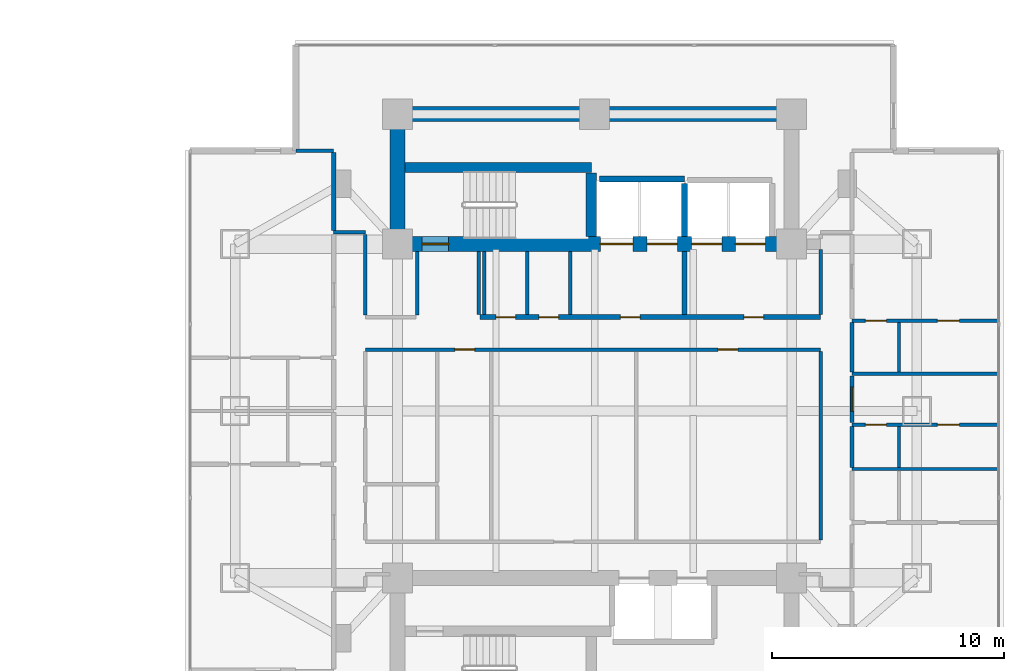
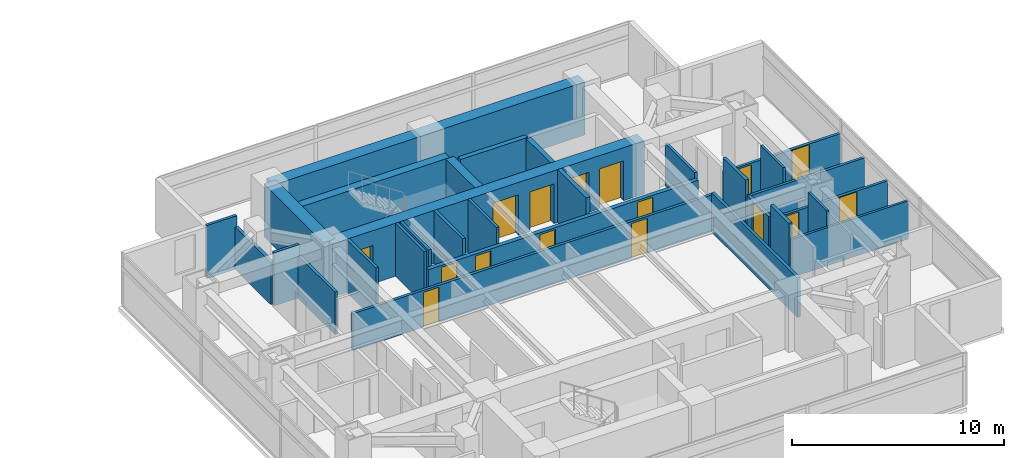
# One storey, part 19 of 27: 30 walls, 16 doors, 16 openings.
"""IFC4 building model written with IfcOpenShell, lengths in metres."""

from ifc_helpers import new_model, si_unit, direction, frame, frame_2d, origin, place, context, subcontext, project, spatial, rectangle, extrude, material, layer, layer_set, type_object, element, fill, save


model = new_model("IFC4")

# Units and contexts
model_context = context("Model", 3, precision=1e-05, world=origin(), true_north=direction((0.0, 1.0)))
body_context = subcontext(model_context, "Body", "Model", "MODEL_VIEW")
ifc_project = project(units=[si_unit("LENGTHUNIT", "METRE"), si_unit("AREAUNIT", "SQUARE_METRE"), si_unit("VOLUMEUNIT", "CUBIC_METRE"), si_unit("PLANEANGLEUNIT", "RADIAN"), si_unit("MASSUNIT", "GRAM", prefix="KILO")], contexts=[model_context])

# Site, building, storey
site_placement = place(None, origin())
site = spatial("IfcSite", under=ifc_project, at=site_placement, CompositionType="ELEMENT")
building_placement = place(site_placement, origin())
building = spatial("IfcBuilding", under=site, at=building_placement, Name="Mirazonda Arch Towers", CompositionType="ELEMENT")
storey_placement = place(building_placement, frame((0.0, 0.0, 52.10009765625)))
storey = spatial("IfcBuildingStorey", under=building, at=storey_placement, Name="L14", CompositionType="ELEMENT", Elevation=52.10009765625)

# Walls
ifc_material_1 = material(Name="Concrete C50/60", Category="concrete")
ifc_layer_1 = layer(ifc_material_1, 0.449951171875, Name="WALL-CORE-450")
ifc_layer_set_1 = layer_set([ifc_layer_1], Name="Concrete C50/60")
wall_type_1 = type_object("IfcWallType", Name="WALL-CORE-450", PredefinedType="SHEAR", material=ifc_layer_set_1)
wall_1_placement = place(storey_placement, frame((68.320068359375, 38.5, 0.0), z_axis=(0.0, 0.0, 1.0), x_axis=(1.0, 0.0, 0.0)))
element("IfcWall", 1, at=wall_1_placement, inside=storey, type_object=wall_type_1, Name="L14 Stair Core Shear Wall 054", PredefinedType="SHEAR", context=body_context, shape_type="SweptSolid", body=[
    extrude(rectangle(XDim=8.0400390625, YDim=0.449951171875, at=frame_2d((4.02001953125, 0.0))), origin(), (0.0, 0.0, 1.0), 3.059814453125),
])
wall_2_placement = place(storey_placement, frame((76.360107421875, 35.52001953125, 0.0), z_axis=(0.0, 0.0, 1.0), x_axis=(0.0, 1.0, 0.0)))
element("IfcWall", 2, at=wall_2_placement, inside=storey, type_object=wall_type_1, Name="L14 Stair Core Shear Wall 142", PredefinedType="SHEAR", context=body_context, shape_type="SweptSolid", body=[
    extrude(rectangle(XDim=2.744873046875, YDim=0.449951171875, at=frame_2d((1.37255859375, 0.0))), origin(), (0.0, 0.0, 1.0), 3.059814453125),
])
ifc_material_2 = material(Name="Concrete C60/75", Category="concrete")
ifc_layer_2 = layer(ifc_material_2, 0.64990234375, Name="WALL-CORE-650")
ifc_layer_set_2 = layer_set([ifc_layer_2], Name="Concrete C60/75")
wall_type_2 = type_object("IfcWallType", Name="WALL-CORE-650", PredefinedType="SHEAR", material=ifc_layer_set_2)
wall_3_placement = place(storey_placement, frame((68.0, 40.800048828125, 0.0), z_axis=(0.0, 0.0, 1.0), x_axis=(1.0, 0.0, 0.0)))
element("IfcWall", 3, at=wall_3_placement, inside=storey, type_object=wall_type_2, Name="L14 T2N-N Core Shear Wall", PredefinedType="SHEAR", context=body_context, shape_type="SweptSolid", body=[
    extrude(rectangle(XDim=17.0, YDim=0.64990234375, at=frame_2d((8.5, 0.0))), origin(), (0.0, 0.0, 1.0), 3.059814453125),
])
wall_4_placement = place(storey_placement, frame((68.0, 35.199951171875, 0.0), z_axis=(0.0, 0.0, 1.0), x_axis=(0.0, 1.0, 0.0)))
element("IfcWall", 4, at=wall_4_placement, inside=storey, type_object=wall_type_2, Name="L14 T2N-W Core Shear Wall", PredefinedType="SHEAR", context=body_context, shape_type="SweptSolid", body=[
    extrude(rectangle(XDim=5.60009765625, YDim=0.64990234375, at=frame_2d((2.800048828125, 0.0))), origin(), (0.0, 0.0, 1.0), 3.059814453125),
])

# Wall, openings, doors
wall_5_placement = place(storey_placement, frame((68.0, 35.199951171875, 0.0), z_axis=(0.0, 0.0, 1.0), x_axis=(1.0, 0.0, 0.0)))
wall_5 = element("IfcWall", 5, at=wall_5_placement, inside=storey, type_object=wall_type_2, Name="L14 T2N-S Core Shear Wall", PredefinedType="SHEAR", context=body_context, shape_type="SweptSolid", body=[
    extrude(rectangle(XDim=17.0, YDim=0.64990234375, at=frame_2d((8.5, 0.0))), origin(), (0.0, 0.0, 1.0), 3.059814453125),
])
opening_1_placement = place(wall_5_placement, frame((1.06005859375, 0.0, 0.0)))
opening_1 = element("IfcOpeningElement", 6, at=opening_1_placement, cuts=wall_5, Name="Opening DR-135", PredefinedType="OPENING", context=body_context, shape_type="SweptSolid", body=[
    extrude(rectangle(XDim=1.14990234375, YDim=2.199951171875, at=frame_2d((0.574951171875, 1.10009765625))), frame((0.0, 0.3349609375, 0.0), z_axis=(0.0, -1.0, 0.0), x_axis=(1.0, 0.0, 0.0)), (0.0, 0.0, 1.0), 0.669921875),
])
opening_2_placement = place(wall_5_placement, frame((8.75, 0.0, 0.0)))
opening_2 = element("IfcOpeningElement", 7, at=opening_2_placement, cuts=wall_5, Name="Opening LD-112", PredefinedType="OPENING", context=body_context, shape_type="SweptSolid", body=[
    extrude(rectangle(XDim=1.39990234375, YDim=2.35009765625, at=frame_2d((0.699951171875, 1.175048828125))), frame((0.0, 0.3349609375, 0.0), z_axis=(0.0, -1.0, 0.0), x_axis=(1.0, 0.0, 0.0)), (0.0, 0.0, 1.0), 0.669921875),
])
opening_3_placement = place(wall_5_placement, frame((10.77001953125, 0.0, 0.0)))
opening_3 = element("IfcOpeningElement", 8, at=opening_3_placement, cuts=wall_5, Name="Opening LD-111", PredefinedType="OPENING", context=body_context, shape_type="SweptSolid", body=[
    extrude(rectangle(XDim=1.300048828125, YDim=2.300048828125, at=frame_2d((0.64990234375, 1.14990234375))), frame((0.0, 0.3349609375, 0.0), z_axis=(0.0, -1.0, 0.0), x_axis=(1.0, 0.0, 0.0)), (0.0, 0.0, 1.0), 0.669921875),
])
opening_4_placement = place(wall_5_placement, frame((12.68994140625, 0.0, 0.0)))
opening_4 = element("IfcOpeningElement", 9, at=opening_4_placement, cuts=wall_5, Name="Opening LD-111", PredefinedType="OPENING", context=body_context, shape_type="SweptSolid", body=[
    extrude(rectangle(XDim=1.300048828125, YDim=2.300048828125, at=frame_2d((0.64990234375, 1.14990234375))), frame((0.0, 0.3349609375, 0.0), z_axis=(0.0, -1.0, 0.0), x_axis=(1.0, 0.0, 0.0)), (0.0, 0.0, 1.0), 0.669921875),
])
opening_5_placement = place(wall_5_placement, frame((14.570068359375, 0.0, 0.0)))
opening_5 = element("IfcOpeningElement", 10, at=opening_5_placement, cuts=wall_5, Name="Opening LD-111", PredefinedType="OPENING", context=body_context, shape_type="SweptSolid", body=[
    extrude(rectangle(XDim=1.300048828125, YDim=2.300048828125, at=frame_2d((0.64990234375, 1.14990234375))), frame((0.0, 0.3349609375, 0.0), z_axis=(0.0, -1.0, 0.0), x_axis=(1.0, 0.0, 0.0)), (0.0, 0.0, 1.0), 0.669921875),
])
ifc_material_3 = material(Name="Architectural Brushed Steel S355", Category="steel")
door_type_1 = type_object("IfcDoorType", Name="DOOR-LIFT-FFL-1400", OperationType="NOTDEFINED", PredefinedType="DOOR", material=ifc_material_3)
door_1_placement = place(opening_2_placement, origin())
door_1 = element("IfcDoor", 11, at=door_1_placement, inside=storey, type_object=door_type_1, Name="L14 Lift Landing Sliding Door FFL-T2", OperationType="DOUBLE_DOOR_SLIDING", OverallHeight=2.35009765625, OverallWidth=1.39990234375, PredefinedType="DOOR", context=body_context, shape_type="SweptSolid", body=[
    extrude(rectangle(XDim=1.39990234375, YDim=2.35009765625, at=frame_2d((0.699951171875, 1.175048828125))), frame((0.0, 0.02490234375, 0.0), z_axis=(0.0, -1.0, 0.0), x_axis=(1.0, 0.0, 0.0)), (0.0, 0.0, 1.0), 0.050048828125),
])
fill(opening_2, door_1)
door_type_2 = type_object("IfcDoorType", Name="DOOR-LIFT-LAND-1300", OperationType="NOTDEFINED", PredefinedType="DOOR", material=ifc_material_3)
door_2_placement = place(opening_3_placement, origin())
door_2 = element("IfcDoor", 12, at=door_2_placement, inside=storey, type_object=door_type_2, Name="L14 Lift Landing Sliding Door SVL-T2", OperationType="DOUBLE_DOOR_SLIDING", OverallHeight=2.300048828125, OverallWidth=1.300048828125, PredefinedType="DOOR", context=body_context, shape_type="SweptSolid", body=[
    extrude(rectangle(XDim=1.300048828125, YDim=2.300048828125, at=frame_2d((0.64990234375, 1.14990234375))), frame((0.0, 0.02490234375, 0.0), z_axis=(0.0, -1.0, 0.0), x_axis=(1.0, 0.0, 0.0)), (0.0, 0.0, 1.0), 0.050048828125),
])
fill(opening_3, door_2)
door_3_placement = place(opening_4_placement, origin())
door_3 = element("IfcDoor", 13, at=door_3_placement, inside=storey, type_object=door_type_2, Name="L14 Lift Landing Sliding Door PL-T2L1", OperationType="DOUBLE_DOOR_SLIDING", OverallHeight=2.300048828125, OverallWidth=1.300048828125, PredefinedType="DOOR", context=body_context, shape_type="SweptSolid", body=[
    extrude(rectangle(XDim=1.300048828125, YDim=2.300048828125, at=frame_2d((0.64990234375, 1.14990234375))), frame((0.0, 0.02490234375, 0.0), z_axis=(0.0, -1.0, 0.0), x_axis=(1.0, 0.0, 0.0)), (0.0, 0.0, 1.0), 0.050048828125),
])
fill(opening_4, door_3)
door_4_placement = place(opening_5_placement, origin())
door_4 = element("IfcDoor", 14, at=door_4_placement, inside=storey, type_object=door_type_2, Name="L14 Lift Landing Sliding Door PL-T2L2", OperationType="DOUBLE_DOOR_SLIDING", OverallHeight=2.300048828125, OverallWidth=1.300048828125, PredefinedType="DOOR", context=body_context, shape_type="SweptSolid", body=[
    extrude(rectangle(XDim=1.300048828125, YDim=2.300048828125, at=frame_2d((0.64990234375, 1.14990234375))), frame((0.0, 0.02490234375, 0.0), z_axis=(0.0, -1.0, 0.0), x_axis=(1.0, 0.0, 0.0)), (0.0, 0.0, 1.0), 0.050048828125),
])
fill(opening_5, door_4)
door_type_3 = type_object("IfcDoorType", Name="DOOR-STAIR-FD90-1150", OperationType="NOTDEFINED", PredefinedType="DOOR", material=ifc_material_3)
door_5_placement = place(opening_1_placement, origin())
door_5 = element("IfcDoor", 15, at=door_5_placement, inside=storey, type_object=door_type_3, Name="L14 East Protected Stair North Door", OperationType="SINGLE_SWING_LEFT", OverallHeight=2.199951171875, OverallWidth=1.14990234375, PredefinedType="DOOR", context=body_context, shape_type="SweptSolid", body=[
    extrude(rectangle(XDim=1.14990234375, YDim=2.199951171875, at=frame_2d((0.574951171875, 1.10009765625))), frame((0.0, 0.02490234375, 0.0), z_axis=(0.0, -1.0, 0.0), x_axis=(1.0, 0.0, 0.0)), (0.0, 0.0, 1.0), 0.050048828125),
])
fill(opening_1, door_5)

ifc_material_4 = material(Name="Concrete C40/50", Category="concrete")
ifc_layer_3 = layer(ifc_material_4, 0.219970703125, Name="WALL-FFL-220")
ifc_layer_set_3 = layer_set([ifc_layer_3], Name="Concrete C40/50")
wall_type_3 = type_object("IfcWallType", Name="WALL-FFL-220", PredefinedType="SOLIDWALL", material=ifc_layer_set_3)
wall_6_placement = place(storey_placement, frame((71.550048828125, 32.050048828125, 0.0), z_axis=(0.0, 0.0, 1.0), x_axis=(1.0, 0.0, 0.0)))
wall_6 = element("IfcWall", 16, at=wall_6_placement, inside=storey, type_object=wall_type_3, Name="L14 Interior Partition 043", PredefinedType="SOLIDWALL", context=body_context, shape_type="SweptSolid", body=[
    extrude(rectangle(XDim=14.699951171875, YDim=0.219970703125, at=frame_2d((7.35009765625, 0.0))), origin(), (0.0, 0.0, 1.0), 2.125),
])
opening_6_placement = place(wall_6_placement, frame((11.389892578125, 0.0, 0.0)))
opening_6 = element("IfcOpeningElement", 17, at=opening_6_placement, cuts=wall_6, Name="Opening DR-128", PredefinedType="OPENING", context=body_context, shape_type="SweptSolid", body=[
    extrude(rectangle(XDim=0.85009765625, YDim=2.010009765625, at=frame_2d((0.425048828125, 1.0048828125))), frame((0.0, 0.119873046875, 0.0), z_axis=(0.0, -1.0, 0.0), x_axis=(1.0, 0.0, 0.0)), (0.0, 0.0, 1.0), 0.239990234375),
])
opening_7_placement = place(wall_6_placement, frame((6.06494140625, 0.0, 0.0)))
opening_7 = element("IfcOpeningElement", 18, at=opening_7_placement, cuts=wall_6, Name="Opening DR-128", PredefinedType="OPENING", context=body_context, shape_type="SweptSolid", body=[
    extrude(rectangle(XDim=0.85009765625, YDim=2.010009765625, at=frame_2d((0.425048828125, 1.0048828125))), frame((0.0, 0.119873046875, 0.0), z_axis=(0.0, -1.0, 0.0), x_axis=(1.0, 0.0, 0.0)), (0.0, 0.0, 1.0), 0.239990234375),
])
opening_8_placement = place(wall_6_placement, frame((0.699951171875, 0.0, 0.0)))
opening_8 = element("IfcOpeningElement", 19, at=opening_8_placement, cuts=wall_6, Name="Opening DR-128", PredefinedType="OPENING", context=body_context, shape_type="SweptSolid", body=[
    extrude(rectangle(XDim=0.85009765625, YDim=2.010009765625, at=frame_2d((0.425048828125, 1.0048828125))), frame((0.0, 0.119873046875, 0.0), z_axis=(0.0, -1.0, 0.0), x_axis=(1.0, 0.0, 0.0)), (0.0, 0.0, 1.0), 0.239990234375),
])
opening_9_placement = place(wall_6_placement, frame((2.550048828125, 0.0, 0.0)))
opening_9 = element("IfcOpeningElement", 20, at=opening_9_placement, cuts=wall_6, Name="Opening DR-128", PredefinedType="OPENING", context=body_context, shape_type="SweptSolid", body=[
    extrude(rectangle(XDim=0.85009765625, YDim=2.010009765625, at=frame_2d((0.425048828125, 1.0048828125))), frame((0.0, 0.119873046875, 0.0), z_axis=(0.0, -1.0, 0.0), x_axis=(1.0, 0.0, 0.0)), (0.0, 0.0, 1.0), 0.239990234375),
])
door_type_4 = type_object("IfcDoorType", Name="DOOR-RISER-FD60-850", OperationType="NOTDEFINED", PredefinedType="DOOR", material=ifc_material_3)
door_6_placement = place(opening_6_placement, origin())
door_6 = element("IfcDoor", 21, at=door_6_placement, inside=storey, type_object=door_type_4, Name="L14 East Passenger Lift Lobby Door", OperationType="SINGLE_SWING_RIGHT", OverallHeight=2.010009765625, OverallWidth=0.85009765625, PredefinedType="DOOR", context=body_context, shape_type="SweptSolid", body=[
    extrude(rectangle(XDim=0.85009765625, YDim=2.010009765625, at=frame_2d((0.425048828125, 1.0048828125))), frame((0.0, 0.02490234375, 0.0), z_axis=(0.0, -1.0, 0.0), x_axis=(1.0, 0.0, 0.0)), (0.0, 0.0, 1.0), 0.050048828125),
])
fill(opening_6, door_6)
door_7_placement = place(opening_7_placement, origin())
door_7 = element("IfcDoor", 22, at=door_7_placement, inside=storey, type_object=door_type_4, Name="L14 East Firefighting Lift Lobby Door", OperationType="SINGLE_SWING_RIGHT", OverallHeight=2.010009765625, OverallWidth=0.85009765625, PredefinedType="DOOR", context=body_context, shape_type="SweptSolid", body=[
    extrude(rectangle(XDim=0.85009765625, YDim=2.010009765625, at=frame_2d((0.425048828125, 1.0048828125))), frame((0.0, 0.02490234375, 0.0), z_axis=(0.0, -1.0, 0.0), x_axis=(1.0, 0.0, 0.0)), (0.0, 0.0, 1.0), 0.050048828125),
])
fill(opening_7, door_7)
door_8_placement = place(opening_8_placement, origin())
door_8 = element("IfcDoor", 23, at=door_8_placement, inside=storey, type_object=door_type_4, Name="L14 Tower 2 Electrical Room Door", OperationType="SINGLE_SWING_LEFT", OverallHeight=2.010009765625, OverallWidth=0.85009765625, PredefinedType="DOOR", context=body_context, shape_type="SweptSolid", body=[
    extrude(rectangle(XDim=0.85009765625, YDim=2.010009765625, at=frame_2d((0.425048828125, 1.0048828125))), frame((0.0, 0.02490234375, 0.0), z_axis=(0.0, -1.0, 0.0), x_axis=(1.0, 0.0, 0.0)), (0.0, 0.0, 1.0), 0.050048828125),
])
fill(opening_8, door_8)
door_9_placement = place(opening_9_placement, origin())
door_9 = element("IfcDoor", 24, at=door_9_placement, inside=storey, type_object=door_type_4, Name="L14 Tower 2 Cleaners Store Door", OperationType="SINGLE_SWING_RIGHT", OverallHeight=2.010009765625, OverallWidth=0.85009765625, PredefinedType="DOOR", context=body_context, shape_type="SweptSolid", body=[
    extrude(rectangle(XDim=0.85009765625, YDim=2.010009765625, at=frame_2d((0.425048828125, 1.0048828125))), frame((0.0, 0.02490234375, 0.0), z_axis=(0.0, -1.0, 0.0), x_axis=(1.0, 0.0, 0.0)), (0.0, 0.0, 1.0), 0.050048828125),
])
fill(opening_9, door_9)

# Wall
wall_7_placement = place(storey_placement, frame((80.3798828125, 32.169921875, 0.0), z_axis=(0.0, 0.0, 1.0), x_axis=(0.0, 1.0, 0.0)))
element("IfcWall", 25, at=wall_7_placement, inside=storey, type_object=wall_type_3, Name="L14 Interior Partition 145", PredefinedType="SOLIDWALL", context=body_context, shape_type="SweptSolid", body=[
    extrude(rectangle(XDim=2.7099609375, YDim=0.219970703125, at=frame_2d((1.35498046875, 0.0))), origin(), (0.0, 0.0, 1.0), 3.059814453125),
])

# Wall, openings, doors
ifc_material_5 = material(Name="Fire-Rated Gypsum Stud Partition")
ifc_layer_4 = layer(ifc_material_5, 0.14990234375, Name="WALL-PART-CORR-150")
ifc_layer_set_4 = layer_set([ifc_layer_4], Name="Fire-Rated Gypsum Stud Partition")
wall_type_4 = type_object("IfcWallType", Name="WALL-PART-CORR-150", PredefinedType="PARTITIONING", material=ifc_layer_set_4)
wall_8_placement = place(storey_placement, frame((87.60009765625, 27.412109375, 0.0), z_axis=(0.0, 0.0, 1.0), x_axis=(1.0, 0.0, 0.0)))
wall_8 = element("IfcWall", 26, at=wall_8_placement, inside=storey, type_object=wall_type_4, Name="L14 Interior Partition 032", PredefinedType="PARTITIONING", context=body_context, shape_type="SweptSolid", body=[
    extrude(rectangle(XDim=6.33984375, YDim=0.14990234375, at=frame_2d((3.169921875, 0.0))), origin(), (0.0, 0.0, 1.0), 2.19580078125),
])
opening_10_placement = place(wall_8_placement, frame((3.689453125, 0.0, 0.0)))
opening_10 = element("IfcOpeningElement", 27, at=opening_10_placement, cuts=wall_8, Name="Opening DR-104", PredefinedType="OPENING", context=body_context, shape_type="SweptSolid", body=[
    extrude(rectangle(XDim=0.949951171875, YDim=2.14990234375, at=frame_2d((0.47509765625, 1.074951171875))), frame((0.0, 0.0849609375, 0.0), z_axis=(0.0, -1.0, 0.0), x_axis=(1.0, 0.0, 0.0)), (0.0, 0.0, 1.0), 0.169921875),
])
opening_11_placement = place(wall_8_placement, frame((0.58447265625, 0.0, 0.0)))
opening_11 = element("IfcOpeningElement", 28, at=opening_11_placement, cuts=wall_8, Name="Opening DR-120", PredefinedType="OPENING", context=body_context, shape_type="SweptSolid", body=[
    extrude(rectangle(XDim=0.89990234375, YDim=2.10009765625, at=frame_2d((0.449951171875, 1.050048828125))), frame((0.0, 0.0849609375, 0.0), z_axis=(0.0, -1.0, 0.0), x_axis=(1.0, 0.0, 0.0)), (0.0, 0.0, 1.0), 0.169921875),
])
door_type_5 = type_object("IfcDoorType", Name="DOOR-ROOM-950", OperationType="NOTDEFINED", PredefinedType="DOOR", material=ifc_material_3)
door_10_placement = place(opening_10_placement, origin())
door_10 = element("IfcDoor", 29, at=door_10_placement, inside=storey, type_object=door_type_5, Name="L14 Studio 2 Galley Kitchen Door", OperationType="SINGLE_SWING_LEFT", OverallHeight=2.14990234375, OverallWidth=0.949951171875, PredefinedType="DOOR", context=body_context, shape_type="SweptSolid", body=[
    extrude(rectangle(XDim=0.949951171875, YDim=2.14990234375, at=frame_2d((0.47509765625, 1.074951171875))), frame((0.0, 0.02490234375, 0.0), z_axis=(0.0, -1.0, 0.0), x_axis=(1.0, 0.0, 0.0)), (0.0, 0.0, 1.0), 0.050048828125),
])
fill(opening_10, door_10)
door_type_6 = type_object("IfcDoorType", Name="DOOR-WC-900", OperationType="NOTDEFINED", PredefinedType="DOOR", material=ifc_material_3)
door_11_placement = place(opening_11_placement, origin())
door_11 = element("IfcDoor", 30, at=door_11_placement, inside=storey, type_object=door_type_6, Name="L14 Studio 2 Bathroom Door", OperationType="SINGLE_SWING_RIGHT", OverallHeight=2.10009765625, OverallWidth=0.89990234375, PredefinedType="DOOR", context=body_context, shape_type="SweptSolid", body=[
    extrude(rectangle(XDim=0.89990234375, YDim=2.10009765625, at=frame_2d((0.449951171875, 1.050048828125))), frame((0.0, 0.02490234375, 0.0), z_axis=(0.0, -1.0, 0.0), x_axis=(1.0, 0.0, 0.0)), (0.0, 0.0, 1.0), 0.050048828125),
])
fill(opening_11, door_11)

# Wall
wall_9_placement = place(storey_placement, frame((87.60009765625, 29.595947265625, 0.0), z_axis=(0.0, 0.0, 1.0), x_axis=(1.0, 0.0, 0.0)))
element("IfcWall", 31, at=wall_9_placement, inside=storey, type_object=wall_type_4, Name="L14 Interior Partition 036", PredefinedType="PARTITIONING", context=body_context, shape_type="SweptSolid", body=[
    extrude(rectangle(XDim=6.33984375, YDim=0.14990234375, at=frame_2d((3.169921875, 0.0))), origin(), (0.0, 0.0, 1.0), 2.19580078125),
])

# Wall, openings, doors
wall_10_placement = place(storey_placement, frame((66.6201171875, 30.64990234375, 0.0), z_axis=(0.0, 0.0, 1.0), x_axis=(1.0, 0.0, 0.0)))
wall_10 = element("IfcWall", 32, at=wall_10_placement, inside=storey, type_object=wall_type_4, Name="L14 Interior Partition 038", PredefinedType="PARTITIONING", context=body_context, shape_type="SweptSolid", body=[
    extrude(rectangle(XDim=19.6298828125, YDim=0.14990234375, at=frame_2d((9.81494140625, 0.0))), origin(), (0.0, 0.0, 1.0), 2.125),
])
opening_12_placement = place(wall_10_placement, frame((3.85498046875, 0.0, 0.0)))
opening_12 = element("IfcOpeningElement", 33, at=opening_12_placement, cuts=wall_10, Name="Opening DR-128", PredefinedType="OPENING", context=body_context, shape_type="SweptSolid", body=[
    extrude(rectangle(XDim=0.85009765625, YDim=2.010009765625, at=frame_2d((0.425048828125, 1.0048828125))), frame((0.0, 0.0849609375, 0.0), z_axis=(0.0, -1.0, 0.0), x_axis=(1.0, 0.0, 0.0)), (0.0, 0.0, 1.0), 0.169921875),
])
opening_13_placement = place(wall_10_placement, frame((15.208984375, 0.0, 0.0)))
opening_13 = element("IfcOpeningElement", 34, at=opening_13_placement, cuts=wall_10, Name="Opening DR-128", PredefinedType="OPENING", context=body_context, shape_type="SweptSolid", body=[
    extrude(rectangle(XDim=0.85009765625, YDim=2.010009765625, at=frame_2d((0.425048828125, 1.0048828125))), frame((0.0, 0.0849609375, 0.0), z_axis=(0.0, -1.0, 0.0), x_axis=(1.0, 0.0, 0.0)), (0.0, 0.0, 1.0), 0.169921875),
])
door_12_placement = place(opening_12_placement, origin())
door_12 = element("IfcDoor", 35, at=door_12_placement, inside=storey, type_object=door_type_4, Name="L14 L14 East Courtyard Study Door", OperationType="SINGLE_SWING_LEFT", OverallHeight=2.010009765625, OverallWidth=0.85009765625, PredefinedType="DOOR", context=body_context, shape_type="SweptSolid", body=[
    extrude(rectangle(XDim=0.85009765625, YDim=2.010009765625, at=frame_2d((0.425048828125, 1.0048828125))), frame((0.0, 0.02490234375, 0.0), z_axis=(0.0, -1.0, 0.0), x_axis=(1.0, 0.0, 0.0)), (0.0, 0.0, 1.0), 0.050048828125),
])
fill(opening_12, door_12)
door_13_placement = place(opening_13_placement, origin())
door_13 = element("IfcDoor", 36, at=door_13_placement, inside=storey, type_object=door_type_4, Name="L14 Chamber Music & Screening Salon Door", OperationType="SINGLE_SWING_LEFT", OverallHeight=2.010009765625, OverallWidth=0.85009765625, PredefinedType="DOOR", context=body_context, shape_type="SweptSolid", body=[
    extrude(rectangle(XDim=0.85009765625, YDim=2.010009765625, at=frame_2d((0.425048828125, 1.0048828125))), frame((0.0, 0.02490234375, 0.0), z_axis=(0.0, -1.0, 0.0), x_axis=(1.0, 0.0, 0.0)), (0.0, 0.0, 1.0), 0.050048828125),
])
fill(opening_13, door_13)

wall_11_placement = place(storey_placement, frame((87.60009765625, 31.89599609375, 0.0), z_axis=(0.0, 0.0, 1.0), x_axis=(1.0, 0.0, 0.0)))
wall_11 = element("IfcWall", 37, at=wall_11_placement, inside=storey, type_object=wall_type_4, Name="L14 Interior Partition 041", PredefinedType="PARTITIONING", context=body_context, shape_type="SweptSolid", body=[
    extrude(rectangle(XDim=6.33984375, YDim=0.14990234375, at=frame_2d((3.169921875, 0.0))), origin(), (0.0, 0.0, 1.0), 2.19580078125),
])
opening_14_placement = place(wall_11_placement, frame((3.689453125, 0.0, 0.0)))
opening_14 = element("IfcOpeningElement", 38, at=opening_14_placement, cuts=wall_11, Name="Opening DR-104", PredefinedType="OPENING", context=body_context, shape_type="SweptSolid", body=[
    extrude(rectangle(XDim=0.949951171875, YDim=2.14990234375, at=frame_2d((0.47509765625, 1.074951171875))), frame((0.0, 0.0849609375, 0.0), z_axis=(0.0, -1.0, 0.0), x_axis=(1.0, 0.0, 0.0)), (0.0, 0.0, 1.0), 0.169921875),
])
opening_15_placement = place(wall_11_placement, frame((0.58447265625, 0.0, 0.0)))
opening_15 = element("IfcOpeningElement", 39, at=opening_15_placement, cuts=wall_11, Name="Opening DR-120", PredefinedType="OPENING", context=body_context, shape_type="SweptSolid", body=[
    extrude(rectangle(XDim=0.89990234375, YDim=2.10009765625, at=frame_2d((0.449951171875, 1.050048828125))), frame((0.0, 0.0849609375, 0.0), z_axis=(0.0, -1.0, 0.0), x_axis=(1.0, 0.0, 0.0)), (0.0, 0.0, 1.0), 0.169921875),
])
door_14_placement = place(opening_14_placement, origin())
door_14 = element("IfcDoor", 40, at=door_14_placement, inside=storey, type_object=door_type_5, Name="L14 Studio 3 Galley Kitchen Door", OperationType="SINGLE_SWING_RIGHT", OverallHeight=2.14990234375, OverallWidth=0.949951171875, PredefinedType="DOOR", context=body_context, shape_type="SweptSolid", body=[
    extrude(rectangle(XDim=0.949951171875, YDim=2.14990234375, at=frame_2d((0.47509765625, 1.074951171875))), frame((0.0, 0.02490234375, 0.0), z_axis=(0.0, -1.0, 0.0), x_axis=(1.0, 0.0, 0.0)), (0.0, 0.0, 1.0), 0.050048828125),
])
fill(opening_14, door_14)
door_15_placement = place(opening_15_placement, origin())
door_15 = element("IfcDoor", 41, at=door_15_placement, inside=storey, type_object=door_type_6, Name="L14 Studio 3 Bathroom Door", OperationType="SINGLE_SWING_LEFT", OverallHeight=2.10009765625, OverallWidth=0.89990234375, PredefinedType="DOOR", context=body_context, shape_type="SweptSolid", body=[
    extrude(rectangle(XDim=0.89990234375, YDim=2.10009765625, at=frame_2d((0.449951171875, 1.050048828125))), frame((0.0, 0.02490234375, 0.0), z_axis=(0.0, -1.0, 0.0), x_axis=(1.0, 0.0, 0.0)), (0.0, 0.0, 1.0), 0.050048828125),
])
fill(opening_15, door_15)

# Walls
wall_12_placement = place(storey_placement, frame((65.25, 35.699951171875, 0.0), z_axis=(0.0, 0.0, 1.0), x_axis=(1.0, 0.0, 0.0)))
element("IfcWall", 42, at=wall_12_placement, inside=storey, type_object=wall_type_4, Name="L14 Interior Partition 049", PredefinedType="PARTITIONING", context=body_context, shape_type="SweptSolid", body=[
    extrude(rectangle(XDim=1.3701171875, YDim=0.14990234375, at=frame_2d((0.68505859375, 0.0))), origin(), (0.0, 0.0, 1.0), 3.059814453125),
])
wall_13_placement = place(storey_placement, frame((63.6259765625, 39.22998046875, 0.0), z_axis=(0.0, 0.0, 1.0), x_axis=(1.0, 0.0, 0.0)))
element("IfcWall", 43, at=wall_13_placement, inside=storey, type_object=wall_type_4, Name="L14 Interior Partition 055", PredefinedType="PARTITIONING", context=body_context, shape_type="SweptSolid", body=[
    extrude(rectangle(XDim=1.6240234375, YDim=0.14990234375, at=frame_2d((0.81201171875, 0.0))), origin(), (0.0, 0.0, 1.0), 3.059814453125),
])
wall_14_placement = place(storey_placement, frame((66.6201171875, 32.135009765625, 0.0), z_axis=(0.0, 0.0, 1.0), x_axis=(0.0, 1.0, 0.0)))
element("IfcWall", 44, at=wall_14_placement, inside=storey, type_object=wall_type_4, Name="L14 Interior Partition 132", PredefinedType="PARTITIONING", context=body_context, shape_type="SweptSolid", body=[
    extrude(rectangle(XDim=3.47998046875, YDim=0.14990234375, at=frame_2d((1.739990234375, 0.0))), origin(), (0.0, 0.0, 1.0), 2.451904296875),
])
wall_15_placement = place(storey_placement, frame((68.85009765625, 32.135009765625, 0.0), z_axis=(0.0, 0.0, 1.0), x_axis=(0.0, 1.0, 0.0)))
element("IfcWall", 45, at=wall_15_placement, inside=storey, type_object=wall_type_4, Name="L14 Interior Partition 133", PredefinedType="PARTITIONING", context=body_context, shape_type="SweptSolid", body=[
    extrude(rectangle(XDim=2.744873046875, YDim=0.14990234375, at=frame_2d((1.37255859375, 0.0))), origin(), (0.0, 0.0, 1.0), 3.059814453125),
])
for number, where, z_axis, x_axis, name in (
    (46, (71.5, 32.169921875, 0.0), (0.0, 0.0, 1.0), (0.0, 1.0, 0.0), "L14 Interior Partition 136"),
    (47, (71.75, 32.169921875, 0.0), (0.0, 0.0, 1.0), (0.0, 1.0, 0.0), "L14 Interior Partition 137"),
    (48, (73.60009765625, 32.169921875, 0.0), (0.0, 0.0, 1.0), (0.0, 1.0, 0.0), "L14 Interior Partition 139"),
    (49, (75.449951171875, 32.169921875, 0.0), (0.0, 0.0, 1.0), (0.0, 1.0, 0.0), "L14 Interior Partition 140"),
):
    element("IfcWall", number, at=place(storey_placement, frame(where, z_axis=z_axis, x_axis=x_axis)), inside=storey, type_object=wall_type_4, Name=name, PredefinedType="PARTITIONING", context=body_context, shape_type="SweptSolid", body=[
        extrude(rectangle(XDim=2.7099609375, YDim=0.14990234375, at=frame_2d((1.35498046875, 0.0))), origin(), (0.0, 0.0, 1.0), 3.059814453125),
    ])
wall_16_placement = place(storey_placement, frame((86.25, 22.43505859375, 0.0), z_axis=(0.0, 0.0, 1.0), x_axis=(0.0, 1.0, 0.0)))
element("IfcWall", 50, at=wall_16_placement, inside=storey, type_object=wall_type_4, Name="L14 Interior Partition 150", PredefinedType="PARTITIONING", context=body_context, shape_type="SweptSolid", body=[
    extrude(rectangle(XDim=8.1298828125, YDim=0.14990234375, at=frame_2d((4.06494140625, 0.0))), origin(), (0.0, 0.0, 1.0), 2.27880859375),
])
wall_17_placement = place(storey_placement, frame((86.25, 32.169921875, 0.0), z_axis=(0.0, 0.0, 1.0), x_axis=(0.0, 1.0, 0.0)))
element("IfcWall", 51, at=wall_17_placement, inside=storey, type_object=wall_type_4, Name="L14 Interior Partition 151", PredefinedType="PARTITIONING", context=body_context, shape_type="SweptSolid", body=[
    extrude(rectangle(XDim=2.795166015625, YDim=0.14990234375, at=frame_2d((1.3974609375, 0.0))), origin(), (0.0, 0.0, 1.0), 2.451904296875),
])
ifc_material_6 = material(Name="Fire-Rated Gypsum Twin-Stud Assembly")
ifc_layer_5 = layer(ifc_material_6, 0.179931640625, Name="WALL-PART-DEMISE-180")
ifc_layer_set_5 = layer_set([ifc_layer_5], Name="Fire-Rated Gypsum Twin-Stud Assembly")
wall_type_5 = type_object("IfcWallType", Name="WALL-PART-DEMISE-180", PredefinedType="PARTITIONING", material=ifc_layer_set_5)
wall_18_placement = place(storey_placement, frame((65.25, 35.784912109375, 0.0), z_axis=(0.0, 0.0, 1.0), x_axis=(0.0, 1.0, 0.0)))
element("IfcWall", 52, at=wall_18_placement, inside=storey, type_object=wall_type_5, Name="L14 Interior Partition 128", PredefinedType="PARTITIONING", context=body_context, shape_type="SweptSolid", body=[
    extrude(rectangle(XDim=3.360107421875, YDim=0.179931640625, at=frame_2d((1.68017578125, 0.0))), origin(), (0.0, 0.0, 1.0), 2.435791015625),
])
wall_19_placement = place(storey_placement, frame((87.60009765625, 25.564453125, 0.0), z_axis=(0.0, 0.0, 1.0), x_axis=(0.0, 1.0, 0.0)))
element("IfcWall", 53, at=wall_19_placement, inside=storey, type_object=wall_type_5, Name="L14 Interior Partition 156", PredefinedType="PARTITIONING", context=body_context, shape_type="SweptSolid", body=[
    extrude(rectangle(XDim=1.762451171875, YDim=0.179931640625, at=frame_2d((0.88134765625, 0.0))), origin(), (0.0, 0.0, 1.0), 3.059814453125),
])

# Wall, opening, door
wall_20_placement = place(storey_placement, frame((87.60009765625, 27.4970703125, 0.0), z_axis=(0.0, 0.0, 1.0), x_axis=(0.0, 1.0, 0.0)))
wall_20 = element("IfcWall", 54, at=wall_20_placement, inside=storey, type_object=wall_type_5, Name="L14 Interior Partition 157", PredefinedType="PARTITIONING", context=body_context, shape_type="SweptSolid", body=[
    extrude(rectangle(XDim=2.013916015625, YDim=0.179931640625, at=frame_2d((1.0068359375, 0.0))), origin(), (0.0, 0.0, 1.0), 2.27880859375),
])
opening_16_placement = place(wall_20_placement, frame((0.48193359375, 0.0, 0.0)))
opening_16 = element("IfcOpeningElement", 55, at=opening_16_placement, cuts=wall_20, Name="Opening DR-121", PredefinedType="OPENING", context=body_context, shape_type="SweptSolid", body=[
    extrude(rectangle(XDim=1.050048828125, YDim=2.199951171875, at=frame_2d((0.52490234375, 1.10009765625))), frame((0.0, 0.099853515625, 0.0), z_axis=(0.0, -1.0, 0.0), x_axis=(1.0, 0.0, 0.0)), (0.0, 0.0, 1.0), 0.199951171875),
])
door_type_7 = type_object("IfcDoorType", Name="DOOR-SUITE-FD60-1050", OperationType="NOTDEFINED", PredefinedType="DOOR", material=ifc_material_3)
door_16_placement = place(opening_16_placement, origin())
door_16 = element("IfcDoor", 56, at=door_16_placement, inside=storey, type_object=door_type_7, Name="L14 Studio Apartment 2 Living Salon Door", OperationType="SINGLE_SWING_RIGHT", OverallHeight=2.199951171875, OverallWidth=1.050048828125, PredefinedType="DOOR", context=body_context, shape_type="SweptSolid", body=[
    extrude(rectangle(XDim=1.050048828125, YDim=2.199951171875, at=frame_2d((0.52490234375, 1.10009765625))), frame((0.0, 0.02490234375, 0.0), z_axis=(0.0, -1.0, 0.0), x_axis=(1.0, 0.0, 0.0)), (0.0, 0.0, 1.0), 0.050048828125),
])
fill(opening_16, door_16)

# Walls
wall_21_placement = place(storey_placement, frame((87.60009765625, 29.680908203125, 0.0), z_axis=(0.0, 0.0, 1.0), x_axis=(0.0, 1.0, 0.0)))
element("IfcWall", 57, at=wall_21_placement, inside=storey, type_object=wall_type_5, Name="L14 Interior Partition 158", PredefinedType="PARTITIONING", context=body_context, shape_type="SweptSolid", body=[
    extrude(rectangle(XDim=2.130126953125, YDim=0.179931640625, at=frame_2d((1.06494140625, 0.0))), origin(), (0.0, 0.0, 1.0), 3.059814453125),
])
ifc_material_7 = material(Name="Acoustic Fire-Rated Gypsum Partition")
ifc_layer_6 = layer(ifc_material_7, 0.125, Name="WALL-PART-UNIT-125")
ifc_layer_set_6 = layer_set([ifc_layer_6], Name="Acoustic Fire-Rated Gypsum Partition")
wall_type_6 = type_object("IfcWallType", Name="WALL-PART-UNIT-125", PredefinedType="PARTITIONING", material=ifc_layer_set_6)
wall_22_placement = place(storey_placement, frame((87.60009765625, 25.491943359375, 0.0), z_axis=(0.0, 0.0, 1.0), x_axis=(1.0, 0.0, 0.0)))
element("IfcWall", 58, at=wall_22_placement, inside=storey, type_object=wall_type_6, Name="L14 Interior Partition 030", PredefinedType="PARTITIONING", context=body_context, shape_type="SweptSolid", body=[
    extrude(rectangle(XDim=6.33984375, YDim=0.125, at=frame_2d((3.169921875, 0.0))), origin(), (0.0, 0.0, 1.0), 2.19580078125),
])
wall_23_placement = place(storey_placement, frame((89.62890625, 25.564453125, 0.0), z_axis=(0.0, 0.0, 1.0), x_axis=(0.0, 1.0, 0.0)))
element("IfcWall", 59, at=wall_23_placement, inside=storey, type_object=wall_type_6, Name="L14 Interior Partition 162", PredefinedType="PARTITIONING", context=body_context, shape_type="SweptSolid", body=[
    extrude(rectangle(XDim=1.762451171875, YDim=0.125, at=frame_2d((0.88134765625, 0.0))), origin(), (0.0, 0.0, 1.0), 3.059814453125),
])
wall_24_placement = place(storey_placement, frame((89.62890625, 29.680908203125, 0.0), z_axis=(0.0, 0.0, 1.0), x_axis=(0.0, 1.0, 0.0)))
element("IfcWall", 60, at=wall_24_placement, inside=storey, type_object=wall_type_6, Name="L14 Interior Partition 163", PredefinedType="PARTITIONING", context=body_context, shape_type="SweptSolid", body=[
    extrude(rectangle(XDim=2.130126953125, YDim=0.125, at=frame_2d((1.06494140625, 0.0))), origin(), (0.0, 0.0, 1.0), 3.059814453125),
])
ifc_layer_7 = layer(ifc_material_4, 0.25, Name="WALL-SHAFT-250")
ifc_layer_set_7 = layer_set([ifc_layer_7], Name="Concrete C40/50")
wall_type_7 = type_object("IfcWallType", Name="WALL-SHAFT-250", PredefinedType="SOLIDWALL", material=ifc_layer_set_7)
wall_25_placement = place(storey_placement, frame((76.719970703125, 38.0, 0.0), z_axis=(0.0, 0.0, 1.0), x_axis=(1.0, 0.0, 0.0)))
element("IfcWall", 61, at=wall_25_placement, inside=storey, type_object=wall_type_7, Name="L14 Interior Partition 053", PredefinedType="SOLIDWALL", context=body_context, shape_type="SweptSolid", body=[
    extrude(rectangle(XDim=3.659912109375, YDim=0.25, at=frame_2d((1.830078125, 0.0))), origin(), (0.0, 0.0, 1.0), 3.059814453125),
])
wall_26_placement = place(storey_placement, frame((80.3798828125, 35.52001953125, 0.0), z_axis=(0.0, 0.0, 1.0), x_axis=(0.0, 1.0, 0.0)))
element("IfcWall", 62, at=wall_26_placement, inside=storey, type_object=wall_type_7, Name="L14 Interior Partition 146", PredefinedType="SOLIDWALL", context=body_context, shape_type="SweptSolid", body=[
    extrude(rectangle(XDim=2.294921875, YDim=0.25, at=frame_2d((1.1474609375, 0.0))), origin(), (0.0, 0.0, 1.0), 3.059814453125),
])

save(model, "model.ifc")
